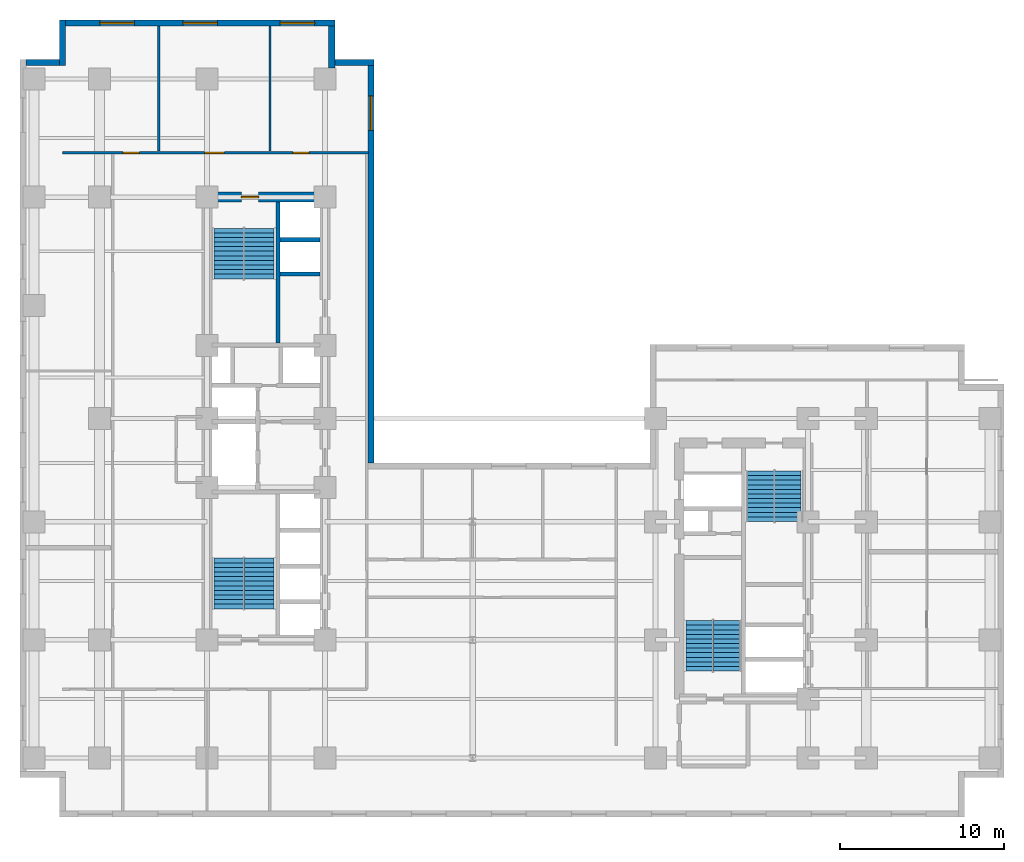
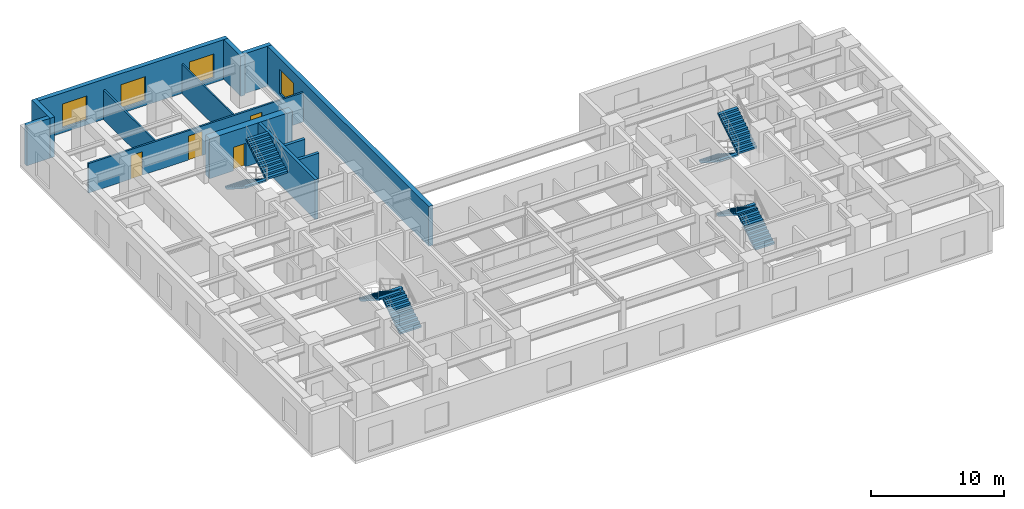
# One storey, part 6 of 9: 13 walls, 8 stair flights, 4 doors, 4 windows, 8 openings, 4 elements without a shape of their own.
"""IFC4 building model written with IfcOpenShell, lengths in metres."""

from ifc_helpers import new_model, entity, si_unit, converted_unit, direction, frame, origin_with_axes, origin_2d_with_axis, place, context, subcontext, project, spatial, polyline, rectangle, outline, extrude, material, layer, layer_set, type_object, element, fill, aggregate, save


model = new_model("IFC4")

# Units and contexts
model_context = context("Model", 3, precision=1e-05, world=origin_with_axes(), true_north=direction((0.0, 1.0)))
body_context = subcontext(model_context, "Body", "Model", "MODEL_VIEW")
ifc_project = project(units=[si_unit("LENGTHUNIT", "METRE"), si_unit("AREAUNIT", "SQUARE_METRE"), si_unit("VOLUMEUNIT", "CUBIC_METRE"), converted_unit("PLANEANGLEUNIT", "DEGREE", entity("IfcPlaneAngleMeasure", 0.017453292519943295), si_unit("PLANEANGLEUNIT", "RADIAN"), dimensions=[0, 0, 0, 0, 0, 0, 0]), si_unit("MASSUNIT", "GRAM", prefix="KILO"), si_unit("THERMODYNAMICTEMPERATUREUNIT", "KELVIN")], contexts=[model_context])

# Site, building, storey
site_placement = place(None, origin_with_axes())
site = spatial("IfcSite", under=ifc_project, at=site_placement, CompositionType="ELEMENT")
building_placement = place(site_placement, origin_with_axes())
building = spatial("IfcBuilding", under=site, at=building_placement, Name="Varnlund Millrace Tower", CompositionType="ELEMENT")
storey_placement = place(building_placement, frame((0.0, 0.0, 71.7), z_axis=(0.0, 0.0, 1.0), x_axis=(1.0, 0.0, 0.0)))
storey = spatial("IfcBuildingStorey", under=building, at=storey_placement, Name="L17", CompositionType="ELEMENT", Elevation=71.7)

# Wall, opening, door
ifc_material_1 = material(Name="Concrete C80/95", Category="concrete")
ifc_layer_1 = layer(ifc_material_1, 0.6, Name="Concrete C80/95")
ifc_layer_set_1 = layer_set([ifc_layer_1], Name="Concrete C80/95")
wall_type_1 = type_object("IfcWallType", Name="Type-CoreWall-Shear-600-C80", PredefinedType="SHEAR", material=ifc_layer_set_1)
wall_1_placement = place(storey_placement, frame((11.4, 37.8, 0.0), z_axis=(0.0, 0.0, 1.0), x_axis=(1.0, 0.0, 0.0)))
wall_1 = element("IfcWall", 1, at=wall_1_placement, inside=storey, type_object=wall_type_1, Name="Type-CoreWall-Shear-600-C80", PredefinedType="SHEAR", context=body_context, shape_type="SweptSolid", body=[
    extrude(outline(polyline([(0.0, -0.3), (7.2, -0.3), (7.2, 0.3), (0.0, 0.3), (0.0, -0.3)])), origin_with_axes(), (0.0, 0.0, 1.0), 3.66),
])
opening_1_placement = place(wall_1_placement, frame((2.625, 0.0, 0.0), z_axis=(0.0, 0.0, 1.0), x_axis=(1.0, 0.0, 0.0)))
opening_1 = element("IfcOpeningElement", 2, at=opening_1_placement, cuts=wall_1, Name="Opening L17:DR-STA2", PredefinedType="OPENING", context=body_context, shape_type="SweptSolid", body=[
    extrude(rectangle(XDim=1.05, YDim=0.62, at=origin_2d_with_axis()), origin_with_axes(), (0.0, 0.0, 1.0), 2.15),
])
ifc_material_2 = material(Name="Fire-rated hollow steel door", Category="steel")
door_type_1 = type_object("IfcDoorType", Name="Type-FireDoor-Stair-1050X2150", OperationType="NOTDEFINED", PredefinedType="DOOR", material=ifc_material_2)
door_1_placement = place(wall_1_placement, frame((2.625, 0.0, 0.0), z_axis=(0.0, 0.0, 1.0), x_axis=(1.0, 0.0, 0.0)))
door_1 = element("IfcDoor", 3, at=door_1_placement, inside=storey, type_object=door_type_1, Name="Type-FireDoor-Stair-1050X2150", OperationType="SINGLE_SWING_RIGHT", OverallHeight=2.15, OverallWidth=1.05, PredefinedType="DOOR", context=body_context, shape_type="SweptSolid", body=[
    extrude(rectangle(XDim=1.05, YDim=0.09, at=origin_2d_with_axis()), origin_with_axes(), (0.0, 0.0, 1.0), 2.15),
])
fill(opening_1, door_1)

# Walls
ifc_material_3 = material(Name="Precast concrete C50/60", Category="concrete")
ifc_layer_2 = layer(ifc_material_3, 0.38, Name="Precast concrete C50/60")
ifc_layer_set_2 = layer_set([ifc_layer_2], Name="Precast concrete C50/60")
wall_type_2 = type_object("IfcWallType", Name="Type-ExtWall-Precast-Tube-380", PredefinedType="SOLIDWALL", material=ifc_layer_set_2)
wall_2_placement = place(storey_placement, frame((0.38, 46.01, 0.0), z_axis=(0.0, 0.0, 1.0), x_axis=(1.0, 0.0, 0.0)))
element("IfcWall", 4, at=wall_2_placement, inside=storey, type_object=wall_type_2, Name="Type-ExtWall-Precast-Tube-380", PredefinedType="SOLIDWALL", context=body_context, shape_type="SweptSolid", body=[
    extrude(outline(polyline([(0.0, -0.19), (2.02, -0.19), (2.02, 0.19), (0.0, 0.19), (0.0, -0.19)])), origin_with_axes(), (0.0, 0.0, 1.0), 3.66),
])
wall_3_placement = place(storey_placement, frame((2.59, 45.82, 0.0), z_axis=(0.0, 0.0, 1.0), x_axis=(0.0, 1.0, 0.0)))
element("IfcWall", 5, at=wall_3_placement, inside=storey, type_object=wall_type_2, Name="Type-ExtWall-Precast-Tube-380", PredefinedType="SOLIDWALL", context=body_context, shape_type="SweptSolid", body=[
    extrude(outline(polyline([(0.0, -0.19), (2.78, -0.19), (2.78, 0.19), (0.0, 0.19), (0.0, -0.19)])), origin_with_axes(), (0.0, 0.0, 1.0), 3.66),
])

# Wall, openings, windows
wall_4_placement = place(storey_placement, frame((2.78, 48.41, 0.0), z_axis=(0.0, 0.0, 1.0), x_axis=(1.0, 0.0, 0.0)))
wall_4 = element("IfcWall", 6, at=wall_4_placement, inside=storey, type_object=wall_type_2, Name="Type-ExtWall-Precast-Tube-380", PredefinedType="SOLIDWALL", context=body_context, shape_type="SweptSolid", body=[
    extrude(outline(polyline([(0.0, -0.19), (16.42, -0.19), (16.42, 0.19), (0.0, 0.19), (0.0, -0.19)])), origin_with_axes(), (0.0, 0.0, 1.0), 3.66),
])
opening_2_placement = place(wall_4_placement, frame((3.137, 0.0, 0.45), z_axis=(0.0, 0.0, 1.0), x_axis=(1.0, 0.0, 0.0)))
opening_2 = element("IfcOpeningElement", 7, at=opening_2_placement, cuts=wall_4, Name="Opening L17:WN-23", PredefinedType="OPENING", context=body_context, shape_type="SweptSolid", body=[
    extrude(rectangle(XDim=2.1, YDim=0.4, at=origin_2d_with_axis()), origin_with_axes(), (0.0, 0.0, 1.0), 2.2),
])
opening_3_placement = place(wall_4_placement, frame((8.21, 0.0, 0.45), z_axis=(0.0, 0.0, 1.0), x_axis=(1.0, 0.0, 0.0)))
opening_3 = element("IfcOpeningElement", 8, at=opening_3_placement, cuts=wall_4, Name="Opening L17:WN-24", PredefinedType="OPENING", context=body_context, shape_type="SweptSolid", body=[
    extrude(rectangle(XDim=2.1, YDim=0.4, at=origin_2d_with_axis()), origin_with_axes(), (0.0, 0.0, 1.0), 2.2),
])
opening_4_placement = place(wall_4_placement, frame((14.133, 0.0, 0.45), z_axis=(0.0, 0.0, 1.0), x_axis=(1.0, 0.0, 0.0)))
opening_4 = element("IfcOpeningElement", 9, at=opening_4_placement, cuts=wall_4, Name="Opening L17:WN-25", PredefinedType="OPENING", context=body_context, shape_type="SweptSolid", body=[
    extrude(rectangle(XDim=2.1, YDim=0.4, at=origin_2d_with_axis()), origin_with_axes(), (0.0, 0.0, 1.0), 2.2),
])
ifc_material_4 = material(Name="Argon low-e triple glazing in thermally broken bronze frame", Category="glass")
window_type = type_object("IfcWindowType", Name="Type-Window-Punched-2100X2200", PartitioningType="SINGLE_PANEL", PredefinedType="WINDOW", material=ifc_material_4)
window_1_placement = place(wall_4_placement, frame((3.137, 0.0, 0.45), z_axis=(0.0, 0.0, 1.0), x_axis=(1.0, 0.0, 0.0)))
window_1 = element("IfcWindow", 10, at=window_1_placement, inside=storey, type_object=window_type, Name="Type-Window-Punched-2100X2200", OverallHeight=2.2, OverallWidth=2.1, PredefinedType="WINDOW", context=body_context, shape_type="SweptSolid", body=[
    extrude(rectangle(XDim=2.1, YDim=0.09, at=origin_2d_with_axis()), origin_with_axes(), (0.0, 0.0, 1.0), 2.2),
])
fill(opening_2, window_1)
window_2_placement = place(wall_4_placement, frame((8.21, 0.0, 0.45), z_axis=(0.0, 0.0, 1.0), x_axis=(1.0, 0.0, 0.0)))
window_2 = element("IfcWindow", 11, at=window_2_placement, inside=storey, type_object=window_type, Name="Type-Window-Punched-2100X2200", OverallHeight=2.2, OverallWidth=2.1, PredefinedType="WINDOW", context=body_context, shape_type="SweptSolid", body=[
    extrude(rectangle(XDim=2.1, YDim=0.09, at=origin_2d_with_axis()), origin_with_axes(), (0.0, 0.0, 1.0), 2.2),
])
fill(opening_3, window_2)
window_3_placement = place(wall_4_placement, frame((14.133, 0.0, 0.45), z_axis=(0.0, 0.0, 1.0), x_axis=(1.0, 0.0, 0.0)))
window_3 = element("IfcWindow", 12, at=window_3_placement, inside=storey, type_object=window_type, Name="Type-Window-Punched-2100X2200", OverallHeight=2.2, OverallWidth=2.1, PredefinedType="WINDOW", context=body_context, shape_type="SweptSolid", body=[
    extrude(rectangle(XDim=2.1, YDim=0.09, at=origin_2d_with_axis()), origin_with_axes(), (0.0, 0.0, 1.0), 2.2),
])
fill(opening_4, window_3)

# Walls
wall_5_placement = place(storey_placement, frame((19.01, 48.22, 0.0), z_axis=(0.0, 0.0, 1.0), x_axis=(0.0, -1.0, 0.0)))
element("IfcWall", 13, at=wall_5_placement, inside=storey, type_object=wall_type_2, Name="Type-ExtWall-Precast-Tube-380", PredefinedType="SOLIDWALL", context=body_context, shape_type="SweptSolid", body=[
    extrude(outline(polyline([(0.0, -0.19), (2.56, -0.19), (2.56, 0.19), (0.0, 0.19), (0.0, -0.19)])), origin_with_axes(), (0.0, 0.0, 1.0), 3.66),
])
wall_6_placement = place(storey_placement, frame((18.82, 46.01, 0.0), z_axis=(0.0, 0.0, 1.0), x_axis=(1.0, 0.0, 0.0)))
element("IfcWall", 14, at=wall_6_placement, inside=storey, type_object=wall_type_2, Name="Type-ExtWall-Precast-Tube-380", PredefinedType="SOLIDWALL", context=body_context, shape_type="SweptSolid", body=[
    extrude(outline(polyline([(0.0, -0.19), (2.78, -0.19), (2.78, 0.19), (0.0, 0.19), (0.0, -0.19)])), origin_with_axes(), (0.0, 0.0, 1.0), 3.66),
])

# Wall, opening, window
wall_7_placement = place(storey_placement, frame((21.41, 45.82, 0.0), z_axis=(0.0, 0.0, 1.0), x_axis=(0.0, -1.0, 0.0)))
wall_7 = element("IfcWall", 15, at=wall_7_placement, inside=storey, type_object=wall_type_2, Name="Type-ExtWall-Precast-Tube-380", PredefinedType="SOLIDWALL", context=body_context, shape_type="SweptSolid", body=[
    extrude(outline(polyline([(0.0, -0.19), (24.22, -0.19), (24.22, 0.19), (0.0, 0.19), (0.0, -0.19)])), origin_with_axes(), (0.0, 0.0, 1.0), 3.66),
])
opening_5_placement = place(wall_7_placement, frame((2.902, 0.0, 0.45), z_axis=(0.0, 0.0, 1.0), x_axis=(1.0, 0.0, 0.0)))
opening_5 = element("IfcOpeningElement", 16, at=opening_5_placement, cuts=wall_7, Name="Opening L17:WN-26", PredefinedType="OPENING", context=body_context, shape_type="SweptSolid", body=[
    extrude(rectangle(XDim=2.1, YDim=0.4, at=origin_2d_with_axis()), origin_with_axes(), (0.0, 0.0, 1.0), 2.2),
])
window_4_placement = place(wall_7_placement, frame((2.902, 0.0, 0.45), z_axis=(0.0, 0.0, 1.0), x_axis=(1.0, 0.0, 0.0)))
window_4 = element("IfcWindow", 17, at=window_4_placement, inside=storey, type_object=window_type, Name="Type-Window-Punched-2100X2200", OverallHeight=2.2, OverallWidth=2.1, PredefinedType="WINDOW", context=body_context, shape_type="SweptSolid", body=[
    extrude(rectangle(XDim=2.1, YDim=0.09, at=origin_2d_with_axis()), origin_with_axes(), (0.0, 0.0, 1.0), 2.2),
])
fill(opening_5, window_4)

# Wall, openings, doors
ifc_material_5 = material(Name="Fire-rated gypsum board on cold-formed steel framing", Category="steel")
ifc_layer_3 = layer(ifc_material_5, 0.16, Name="Fire-rated gypsum board on cold-formed steel framing")
ifc_layer_set_3 = layer_set([ifc_layer_3], Name="Fire-rated gypsum board on cold-formed steel framing")
wall_type_3 = type_object("IfcWallType", Name="Type-Partition-Corridor-160", PredefinedType="PARTITIONING", material=ifc_layer_set_3)
wall_8_placement = place(storey_placement, frame((2.6, 40.5, 0.0), z_axis=(0.0, 0.0, 1.0), x_axis=(1.0, 0.0, 0.0)))
wall_8 = element("IfcWall", 18, at=wall_8_placement, inside=storey, type_object=wall_type_3, Name="Type-Partition-Corridor-160", PredefinedType="PARTITIONING", context=body_context, shape_type="SweptSolid", body=[
    extrude(outline(polyline([(0.0, -0.08), (18.65, -0.08), (18.65, 0.08), (0.0, 0.08), (0.0, -0.08)])), origin_with_axes(), (0.0, 0.0, 1.0), 2.7),
])
opening_6_placement = place(wall_8_placement, frame((4.176, 0.0, 0.0), z_axis=(0.0, 0.0, 1.0), x_axis=(1.0, 0.0, 0.0)))
opening_6 = element("IfcOpeningElement", 19, at=opening_6_placement, cuts=wall_8, Name="Opening L17:DR-WAN-01", PredefinedType="OPENING", context=body_context, shape_type="SweptSolid", body=[
    extrude(rectangle(XDim=1.0, YDim=0.18, at=origin_2d_with_axis()), origin_with_axes(), (0.0, 0.0, 1.0), 2.15),
])
opening_7_placement = place(wall_8_placement, frame((9.2565, 0.0, 0.0), z_axis=(0.0, 0.0, 1.0), x_axis=(1.0, 0.0, 0.0)))
opening_7 = element("IfcOpeningElement", 20, at=opening_7_placement, cuts=wall_8, Name="Opening L17:DR-WAN-02", PredefinedType="OPENING", context=body_context, shape_type="SweptSolid", body=[
    extrude(rectangle(XDim=1.2, YDim=0.18, at=origin_2d_with_axis()), origin_with_axes(), (0.0, 0.0, 1.0), 2.2),
])
opening_8_placement = place(wall_8_placement, frame((14.536, 0.0, 0.0), z_axis=(0.0, 0.0, 1.0), x_axis=(1.0, 0.0, 0.0)))
opening_8 = element("IfcOpeningElement", 21, at=opening_8_placement, cuts=wall_8, Name="Opening L17:DR-WAN-03", PredefinedType="OPENING", context=body_context, shape_type="SweptSolid", body=[
    extrude(rectangle(XDim=1.0, YDim=0.18, at=origin_2d_with_axis()), origin_with_axes(), (0.0, 0.0, 1.0), 2.15),
])
ifc_material_6 = material(Name="Wide executive white oak acoustic door")
door_type_2 = type_object("IfcDoorType", Name="Type-IntDoor-Exec-1200X2200", OperationType="NOTDEFINED", PredefinedType="DOOR", material=ifc_material_6)
door_2_placement = place(wall_8_placement, frame((9.2565, 0.0, 0.0), z_axis=(0.0, 0.0, 1.0), x_axis=(1.0, 0.0, 0.0)))
door_2 = element("IfcDoor", 22, at=door_2_placement, inside=storey, type_object=door_type_2, Name="Type-IntDoor-Exec-1200X2200", OperationType="SINGLE_SWING_RIGHT", OverallHeight=2.2, OverallWidth=1.2, PredefinedType="DOOR", context=body_context, shape_type="SweptSolid", body=[
    extrude(rectangle(XDim=1.2, YDim=0.09, at=origin_2d_with_axis()), origin_with_axes(), (0.0, 0.0, 1.0), 2.2),
])
fill(opening_7, door_2)
ifc_material_7 = material(Name="Solid-core white oak and bronze frame door")
door_type_3 = type_object("IfcDoorType", Name="Type-IntDoor-Office-1000X2150", OperationType="NOTDEFINED", PredefinedType="DOOR", material=ifc_material_7)
door_3_placement = place(wall_8_placement, frame((4.176, 0.0, 0.0), z_axis=(0.0, 0.0, 1.0), x_axis=(1.0, 0.0, 0.0)))
door_3 = element("IfcDoor", 23, at=door_3_placement, inside=storey, type_object=door_type_3, Name="Type-IntDoor-Office-1000X2150", OperationType="SINGLE_SWING_LEFT", OverallHeight=2.15, OverallWidth=1.0, PredefinedType="DOOR", context=body_context, shape_type="SweptSolid", body=[
    extrude(rectangle(XDim=1.0, YDim=0.09, at=origin_2d_with_axis()), origin_with_axes(), (0.0, 0.0, 1.0), 2.15),
])
fill(opening_6, door_3)
door_4_placement = place(wall_8_placement, frame((14.536, 0.0, 0.0), z_axis=(0.0, 0.0, 1.0), x_axis=(1.0, 0.0, 0.0)))
door_4 = element("IfcDoor", 24, at=door_4_placement, inside=storey, type_object=door_type_3, Name="Type-IntDoor-Office-1000X2150", OperationType="SINGLE_SWING_LEFT", OverallHeight=2.15, OverallWidth=1.0, PredefinedType="DOOR", context=body_context, shape_type="SweptSolid", body=[
    extrude(rectangle(XDim=1.0, YDim=0.09, at=origin_2d_with_axis()), origin_with_axes(), (0.0, 0.0, 1.0), 2.15),
])
fill(opening_8, door_4)

# Walls
ifc_material_8 = material(Name="Acoustic STC-50 gypsum board partition", Category="gypsum")
ifc_layer_4 = layer(ifc_material_8, 0.15, Name="Acoustic STC-50 gypsum board partition")
ifc_layer_set_4 = layer_set([ifc_layer_4], Name="Acoustic STC-50 gypsum board partition")
wall_type_4 = type_object("IfcWallType", Name="Type-Partition-Demising-150", PredefinedType="PARTITIONING", material=ifc_layer_set_4)
wall_9_placement = place(storey_placement, frame((8.461, 40.6, 0.0), z_axis=(0.0, 0.0, 1.0), x_axis=(0.0, 1.0, 0.0)))
element("IfcWall", 25, at=wall_9_placement, inside=storey, type_object=wall_type_4, Name="Type-Partition-Demising-150", PredefinedType="PARTITIONING", context=body_context, shape_type="SweptSolid", body=[
    extrude(outline(polyline([(0.0, -0.075), (7.64, -0.075), (7.64, 0.075), (0.0, 0.075), (0.0, -0.075)])), origin_with_axes(), (0.0, 0.0, 1.0), 2.7),
])
ifc_material_9 = material(Name="Gypsum board tenant partition", Category="gypsum")
ifc_layer_5 = layer(ifc_material_9, 0.125, Name="Gypsum board tenant partition")
ifc_layer_set_5 = layer_set([ifc_layer_5], Name="Gypsum board tenant partition")
wall_type_5 = type_object("IfcWallType", Name="Type-Partition-Tenant-125", PredefinedType="PARTITIONING", material=ifc_layer_set_5)
wall_10_placement = place(storey_placement, frame((15.252, 40.6, 0.0), z_axis=(0.0, 0.0, 1.0), x_axis=(0.0, 1.0, 0.0)))
element("IfcWall", 26, at=wall_10_placement, inside=storey, type_object=wall_type_5, Name="Type-Partition-Tenant-125", PredefinedType="PARTITIONING", context=body_context, shape_type="SweptSolid", body=[
    extrude(outline(polyline([(0.0, -0.0625), (7.64, -0.0625), (7.64, 0.0625), (0.0, 0.0625), (0.0, -0.0625)])), origin_with_axes(), (0.0, 0.0, 1.0), 2.7),
])
ifc_material_10 = material(Name="Concrete C60/75", Category="concrete")
ifc_layer_6 = layer(ifc_material_10, 0.25, Name="Concrete C60/75")
ifc_layer_set_6 = layer_set([ifc_layer_6], Name="Concrete C60/75")
wall_type_6 = type_object("IfcWallType", Name="Type-ShaftWall-Fire-250", PredefinedType="SOLIDWALL", material=ifc_layer_set_6)
for number, where, z_axis, x_axis, name in (
    (27, (15.84, 33.1, 0.0), (0.0, 0.0, 1.0), (1.0, 0.0, 0.0), "Type-ShaftWall-Fire-250"),
    (28, (15.84, 35.2, 0.0), (0.0, 0.0, 1.0), (1.0, 0.0, 0.0), "Type-ShaftWall-Fire-250"),
):
    element("IfcWall", number, at=place(storey_placement, frame(where, z_axis=z_axis, x_axis=x_axis)), inside=storey, type_object=wall_type_6, Name=name, PredefinedType="SOLIDWALL", context=body_context, shape_type="SweptSolid", body=[
        extrude(outline(polyline([(0.0, -0.125), (2.46, -0.125), (2.46, 0.125), (0.0, 0.125), (0.0, -0.125)])), origin_with_axes(), (0.0, 0.0, 1.0), 2.7),
    ])
wall_type_7 = type_object("IfcWallType", Name="Type-StairWall-Shear-250", PredefinedType="SHEAR", material=ifc_layer_set_6)
wall_11_placement = place(storey_placement, frame((15.725, 28.9, 0.0), z_axis=(0.0, 0.0, 1.0), x_axis=(0.0, 1.0, 0.0)))
element("IfcWall", 29, at=wall_11_placement, inside=storey, type_object=wall_type_7, Name="Type-StairWall-Shear-250", PredefinedType="SHEAR", context=body_context, shape_type="SweptSolid", body=[
    extrude(outline(polyline([(0.0, -0.125), (8.6, -0.125), (8.6, 0.125), (0.0, 0.125), (0.0, -0.125)])), origin_with_axes(), (0.0, 0.0, 1.0), 3.66),
])

# Stair, stair flights
ifc_material_11 = material(Name="Concrete C50/60", Category="concrete")
stair_type_1 = type_object("IfcStairType", Name="Type-Stair-Dogleg-165-390", PredefinedType="HALF_TURN_STAIR", material=ifc_material_11)
stair_1_placement = place(storey_placement, origin_with_axes())
stair_1 = element("IfcStair", 30, at=stair_1_placement, inside=storey, type_object=stair_type_1, Name="Type-Stair-Dogleg-165-390", PredefinedType="HALF_TURN_STAIR")
stair_flight_type_1 = type_object("IfcStairFlightType", Name="Type-Dogleg-Run-165-390", PredefinedType="STRAIGHT", material=ifc_material_3)
stair_flight_1_placement = place(storey_placement, frame((42.225, 8.9, 0.0), z_axis=(1.0, 0.0, 0.0), x_axis=(0.0, 1.0, 0.0)))
stair_flight_1 = element("IfcStairFlight", 31, at=stair_flight_1_placement, type_object=stair_flight_type_1, Name="ST-B1 flight 1", NumberOfRisers=11, NumberOfTreads=11, PredefinedType="STRAIGHT", RiserHeight=0.177273, TreadLength=0.28, context=body_context, shape_type="SweptSolid", body=[
    extrude(outline(polyline([(0.0, 0.0), (0.0, 0.177273), (0.28, 0.177273), (0.28, 0.354545), (0.56, 0.354545), (0.56, 0.531818), (0.84, 0.531818), (0.84, 0.709091), (1.12, 0.709091), (1.12, 0.886364), (1.4, 0.886364), (1.4, 1.063636), (1.68, 1.063636), (1.68, 1.240909), (1.96, 1.240909), (1.96, 1.418182), (2.24, 1.418182), (2.24, 1.595454), (2.52, 1.595454), (2.52, 1.772727), (2.8, 1.772727), (2.8, 1.95), (3.08, 1.95), (3.08, 1.8), (0.28, 0.0), (0.0, 0.0)])), origin_with_axes(), (0.0, 0.0, 1.0), 1.65),
])
stair_flight_2_placement = place(storey_placement, frame((42.275, 11.98, 1.95), z_axis=(-1.0, 0.0, 0.0), x_axis=(0.0, -1.0, 0.0)))
stair_flight_2 = element("IfcStairFlight", 32, at=stair_flight_2_placement, type_object=stair_flight_type_1, Name="ST-B1 flight 2", NumberOfRisers=11, NumberOfTreads=11, PredefinedType="STRAIGHT", RiserHeight=0.177273, TreadLength=0.28, context=body_context, shape_type="SweptSolid", body=[
    extrude(outline(polyline([(0.0, 0.0), (0.0, 0.177273), (0.28, 0.177273), (0.28, 0.354545), (0.56, 0.354545), (0.56, 0.531818), (0.84, 0.531818), (0.84, 0.709091), (1.12, 0.709091), (1.12, 0.886364), (1.4, 0.886364), (1.4, 1.063636), (1.68, 1.063636), (1.68, 1.240909), (1.96, 1.240909), (1.96, 1.418182), (2.24, 1.418182), (2.24, 1.595454), (2.52, 1.595454), (2.52, 1.772727), (2.8, 1.772727), (2.8, 1.95), (3.08, 1.95), (3.08, 1.8), (0.28, 0.0), (0.0, 0.0)])), origin_with_axes(), (0.0, 0.0, 1.0), 1.65),
])
aggregate(stair_1, [stair_flight_1, stair_flight_2])

stair_2_placement = place(storey_placement, origin_with_axes())
stair_2 = element("IfcStair", 33, at=stair_2_placement, inside=storey, type_object=stair_type_1, Name="Type-Stair-Dogleg-165-390", PredefinedType="HALF_TURN_STAIR")
stair_flight_3_placement = place(storey_placement, frame((46.025, 21.1, 0.0), z_axis=(-1.0, 0.0, 0.0), x_axis=(0.0, -1.0, 0.0)))
stair_flight_3 = element("IfcStairFlight", 34, at=stair_flight_3_placement, type_object=stair_flight_type_1, Name="ST-B2 flight 1", NumberOfRisers=11, NumberOfTreads=11, PredefinedType="STRAIGHT", RiserHeight=0.177273, TreadLength=0.28, context=body_context, shape_type="SweptSolid", body=[
    extrude(outline(polyline([(0.0, 0.0), (0.0, 0.177273), (0.28, 0.177273), (0.28, 0.354545), (0.56, 0.354545), (0.56, 0.531818), (0.84, 0.531818), (0.84, 0.709091), (1.12, 0.709091), (1.12, 0.886364), (1.4, 0.886364), (1.4, 1.063636), (1.68, 1.063636), (1.68, 1.240909), (1.96, 1.240909), (1.96, 1.418182), (2.24, 1.418182), (2.24, 1.595454), (2.52, 1.595454), (2.52, 1.772727), (2.8, 1.772727), (2.8, 1.95), (3.08, 1.95), (3.08, 1.8), (0.28, 0.0), (0.0, 0.0)])), origin_with_axes(), (0.0, 0.0, 1.0), 1.65),
])
stair_flight_4_placement = place(storey_placement, frame((45.975, 18.02, 1.95), z_axis=(1.0, 0.0, 0.0), x_axis=(0.0, 1.0, 0.0)))
stair_flight_4 = element("IfcStairFlight", 35, at=stair_flight_4_placement, type_object=stair_flight_type_1, Name="ST-B2 flight 2", NumberOfRisers=11, NumberOfTreads=11, PredefinedType="STRAIGHT", RiserHeight=0.177273, TreadLength=0.28, context=body_context, shape_type="SweptSolid", body=[
    extrude(outline(polyline([(0.0, 0.0), (0.0, 0.177273), (0.28, 0.177273), (0.28, 0.354545), (0.56, 0.354545), (0.56, 0.531818), (0.84, 0.531818), (0.84, 0.709091), (1.12, 0.709091), (1.12, 0.886364), (1.4, 0.886364), (1.4, 1.063636), (1.68, 1.063636), (1.68, 1.240909), (1.96, 1.240909), (1.96, 1.418182), (2.24, 1.418182), (2.24, 1.595454), (2.52, 1.595454), (2.52, 1.772727), (2.8, 1.772727), (2.8, 1.95), (3.08, 1.95), (3.08, 1.8), (0.28, 0.0), (0.0, 0.0)])), origin_with_axes(), (0.0, 0.0, 1.0), 1.65),
])
aggregate(stair_2, [stair_flight_3, stair_flight_4])

stair_type_2 = type_object("IfcStairType", Name="Type-Stair-Dogleg-185-390", PredefinedType="HALF_TURN_STAIR", material=ifc_material_11)
stair_3_placement = place(storey_placement, origin_with_axes())
stair_3 = element("IfcStair", 36, at=stair_3_placement, inside=storey, type_object=stair_type_2, Name="Type-Stair-Dogleg-185-390", PredefinedType="HALF_TURN_STAIR")
stair_flight_type_2 = type_object("IfcStairFlightType", Name="Type-Dogleg-Run-185-390", PredefinedType="STRAIGHT", material=ifc_material_3)
stair_flight_5_placement = place(storey_placement, frame((13.625, 12.7, 0.0), z_axis=(1.0, 0.0, 0.0), x_axis=(0.0, 1.0, 0.0)))
stair_flight_5 = element("IfcStairFlight", 37, at=stair_flight_5_placement, type_object=stair_flight_type_2, Name="ST-A1 flight 1", NumberOfRisers=11, NumberOfTreads=11, PredefinedType="STRAIGHT", RiserHeight=0.177273, TreadLength=0.28, context=body_context, shape_type="SweptSolid", body=[
    extrude(outline(polyline([(0.0, 0.0), (0.0, 0.177273), (0.28, 0.177273), (0.28, 0.354545), (0.56, 0.354545), (0.56, 0.531818), (0.84, 0.531818), (0.84, 0.709091), (1.12, 0.709091), (1.12, 0.886364), (1.4, 0.886364), (1.4, 1.063636), (1.68, 1.063636), (1.68, 1.240909), (1.96, 1.240909), (1.96, 1.418182), (2.24, 1.418182), (2.24, 1.595454), (2.52, 1.595454), (2.52, 1.772727), (2.8, 1.772727), (2.8, 1.95), (3.08, 1.95), (3.08, 1.8), (0.28, 0.0), (0.0, 0.0)])), origin_with_axes(), (0.0, 0.0, 1.0), 1.85),
])
stair_flight_6_placement = place(storey_placement, frame((13.675, 15.78, 1.95), z_axis=(-1.0, 0.0, 0.0), x_axis=(0.0, -1.0, 0.0)))
stair_flight_6 = element("IfcStairFlight", 38, at=stair_flight_6_placement, type_object=stair_flight_type_2, Name="ST-A1 flight 2", NumberOfRisers=11, NumberOfTreads=11, PredefinedType="STRAIGHT", RiserHeight=0.177273, TreadLength=0.28, context=body_context, shape_type="SweptSolid", body=[
    extrude(outline(polyline([(0.0, 0.0), (0.0, 0.177273), (0.28, 0.177273), (0.28, 0.354545), (0.56, 0.354545), (0.56, 0.531818), (0.84, 0.531818), (0.84, 0.709091), (1.12, 0.709091), (1.12, 0.886364), (1.4, 0.886364), (1.4, 1.063636), (1.68, 1.063636), (1.68, 1.240909), (1.96, 1.240909), (1.96, 1.418182), (2.24, 1.418182), (2.24, 1.595454), (2.52, 1.595454), (2.52, 1.772727), (2.8, 1.772727), (2.8, 1.95), (3.08, 1.95), (3.08, 1.8), (0.28, 0.0), (0.0, 0.0)])), origin_with_axes(), (0.0, 0.0, 1.0), 1.85),
])
aggregate(stair_3, [stair_flight_5, stair_flight_6])

stair_4_placement = place(storey_placement, origin_with_axes())
stair_4 = element("IfcStair", 39, at=stair_4_placement, inside=storey, type_object=stair_type_2, Name="Type-Stair-Dogleg-185-390", PredefinedType="HALF_TURN_STAIR")
stair_flight_7_placement = place(storey_placement, frame((13.675, 35.9, 0.0), z_axis=(-1.0, 0.0, 0.0), x_axis=(0.0, -1.0, 0.0)))
stair_flight_7 = element("IfcStairFlight", 40, at=stair_flight_7_placement, type_object=stair_flight_type_2, Name="ST-A2 flight 1", NumberOfRisers=11, NumberOfTreads=11, PredefinedType="STRAIGHT", RiserHeight=0.177273, TreadLength=0.28, context=body_context, shape_type="SweptSolid", body=[
    extrude(outline(polyline([(0.0, 0.0), (0.0, 0.177273), (0.28, 0.177273), (0.28, 0.354545), (0.56, 0.354545), (0.56, 0.531818), (0.84, 0.531818), (0.84, 0.709091), (1.12, 0.709091), (1.12, 0.886364), (1.4, 0.886364), (1.4, 1.063636), (1.68, 1.063636), (1.68, 1.240909), (1.96, 1.240909), (1.96, 1.418182), (2.24, 1.418182), (2.24, 1.595454), (2.52, 1.595454), (2.52, 1.772727), (2.8, 1.772727), (2.8, 1.95), (3.08, 1.95), (3.08, 1.8), (0.28, 0.0), (0.0, 0.0)])), origin_with_axes(), (0.0, 0.0, 1.0), 1.85),
])
stair_flight_8_placement = place(storey_placement, frame((13.625, 32.82, 1.95), z_axis=(1.0, 0.0, 0.0), x_axis=(0.0, 1.0, 0.0)))
stair_flight_8 = element("IfcStairFlight", 41, at=stair_flight_8_placement, type_object=stair_flight_type_2, Name="ST-A2 flight 2", NumberOfRisers=11, NumberOfTreads=11, PredefinedType="STRAIGHT", RiserHeight=0.177273, TreadLength=0.28, context=body_context, shape_type="SweptSolid", body=[
    extrude(outline(polyline([(0.0, 0.0), (0.0, 0.177273), (0.28, 0.177273), (0.28, 0.354545), (0.56, 0.354545), (0.56, 0.531818), (0.84, 0.531818), (0.84, 0.709091), (1.12, 0.709091), (1.12, 0.886364), (1.4, 0.886364), (1.4, 1.063636), (1.68, 1.063636), (1.68, 1.240909), (1.96, 1.240909), (1.96, 1.418182), (2.24, 1.418182), (2.24, 1.595454), (2.52, 1.595454), (2.52, 1.772727), (2.8, 1.772727), (2.8, 1.95), (3.08, 1.95), (3.08, 1.8), (0.28, 0.0), (0.0, 0.0)])), origin_with_axes(), (0.0, 0.0, 1.0), 1.85),
])
aggregate(stair_4, [stair_flight_7, stair_flight_8])

save(model, "model.ifc")
